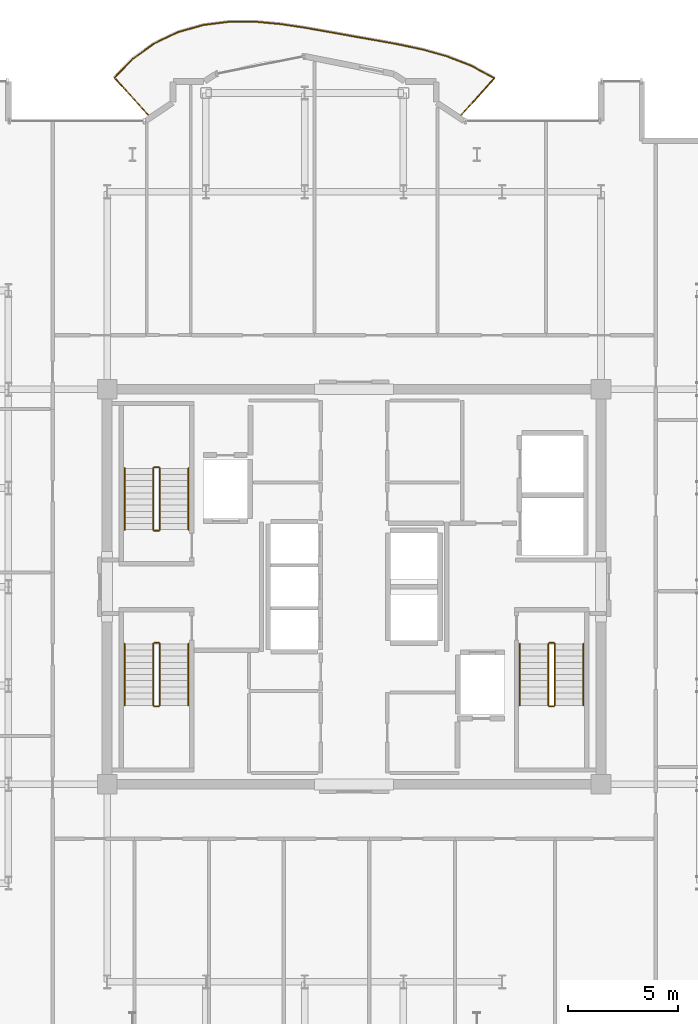
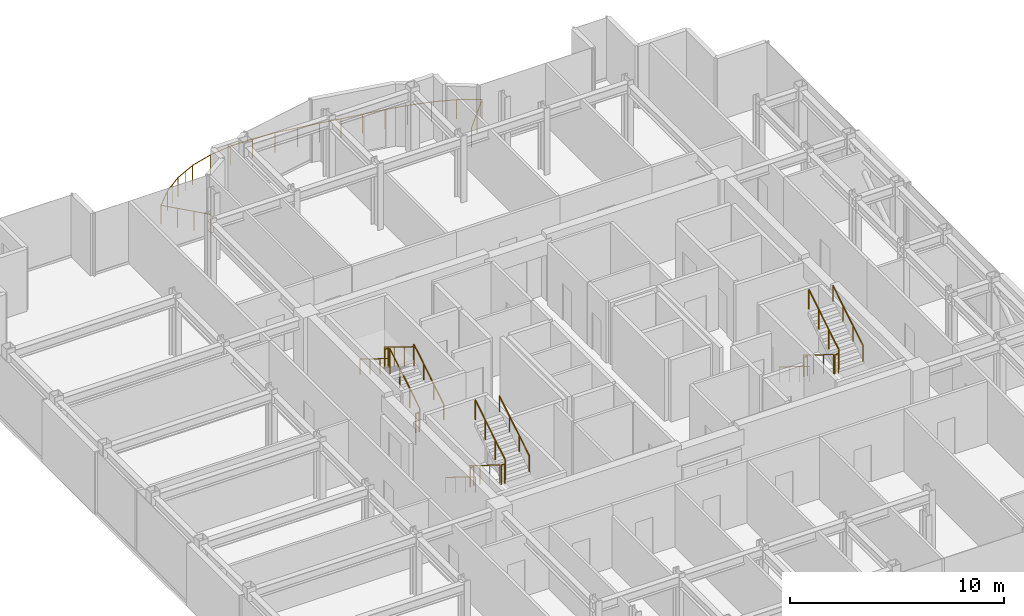
# One storey, part 16 of 16: 19 railings.
"""IFC4 building model written with IfcOpenShell, lengths in metres."""

import ifcopenshell
import ifcopenshell.guid

model = None  # the IFC model being written
_history = None  # IfcOwnerHistory: only IFC2X3 demands one
_inside = {}  # id of a spatial element -> (the spatial element, [elements in it])
_under = {}  # id of a project, library or spatial element -> (it, [spatial elements below it])
_declared = {}  # id of a project -> (the project, [libraries it declares])
_typed = {}  # id of a type object -> (the type object, [elements of that type])
_made_of = {}  # id of a material, layer set ... -> (it, [elements and type objects made of it])


def new_model(schema):
    """Start an empty IFC model of exactly this schema.

    Asked for "IFC4X3", IfcOpenShell would pick the latest addendum, in which some entities
    have other attributes; the version numbers below select the first issue.
    IFC2X3 requires an IfcOwnerHistory on every rooted entity: one is made here for all.
    """
    global model, _history
    if schema == "IFC4X3":
        model = ifcopenshell.file(schema_version=(4, 3, 0, 0))
    else:
        model = ifcopenshell.file(schema=schema)
    _inside.clear()
    _under.clear()
    _declared.clear()
    _typed.clear()
    _made_of.clear()
    _history = None
    if model.schema == "IFC2X3":
        org = make("IfcOrganization", Name="unknown")
        user = make(
            "IfcPersonAndOrganization",
            ThePerson=make("IfcPerson", FamilyName="unknown"),
            TheOrganization=org,
        )
        app = make(
            "IfcApplication",
            ApplicationDeveloper=org,
            Version="unknown",
            ApplicationFullName="unknown",
            ApplicationIdentifier="unknown",
        )
        _history = make(
            "IfcOwnerHistory",
            OwningUser=user,
            OwningApplication=app,
            ChangeAction="ADDED",
            CreationDate=0,
        )
    return model


def make(cls, **values):
    """One entity of the class cls with the attributes given. An attribute that is None is left unset."""
    return model.create_entity(
        cls, **{name: value for name, value in values.items() if value is not None}
    )


def rooted(cls, **values):
    """An entity with a GlobalId (a new one), such as an element, a storey or a relation."""
    return make(cls, GlobalId=ifcopenshell.guid.new(), OwnerHistory=_history, **values)


def si_unit(unit_type, name, prefix=None):
    """IfcSIUnit, for example si_unit("LENGTHUNIT", "METRE", prefix="MILLI")."""
    return make("IfcSIUnit", UnitType=unit_type, Prefix=prefix, Name=name)


def assignment(units):
    """IfcUnitAssignment: the units of a project."""
    return None if units is None else make("IfcUnitAssignment", Units=units)


def point(xyz):
    """IfcCartesianPoint."""
    return None if xyz is None else make("IfcCartesianPoint", Coordinates=xyz)


def direction(xyz):
    """IfcDirection."""
    return None if xyz is None else make("IfcDirection", DirectionRatios=xyz)


def frame(location, z_axis=None, x_axis=None):
    """IfcAxis2Placement3D, a coordinate frame: its origin and axes. An axis left out is left unset."""
    return make(
        "IfcAxis2Placement3D",
        Location=point(location),
        Axis=direction(z_axis),
        RefDirection=direction(x_axis),
    )


def frame_2d(location, x_axis=None):
    """IfcAxis2Placement2D, a coordinate frame in the plane: its origin and x axis."""
    return make(
        "IfcAxis2Placement2D", Location=point(location), RefDirection=direction(x_axis)
    )


def origin():
    """The frame at (0, 0, 0) with its axes left unset."""
    return frame((0.0, 0.0, 0.0))


def origin_2d():
    """The frame at (0, 0) in the plane with its x axis left unset."""
    return frame_2d((0.0, 0.0))


def place(relative_to, where):
    """IfcLocalPlacement: puts the frame where relative to a parent placement (None: the world)."""
    return make(
        "IfcLocalPlacement", PlacementRelTo=relative_to, RelativePlacement=where
    )


def context(
    kind, dimensions, precision=None, world=None, true_north=None, identifier=None
):
    """IfcGeometricRepresentationContext, for example the 3D "Model" context."""
    return make(
        "IfcGeometricRepresentationContext",
        ContextIdentifier=identifier,
        ContextType=kind,
        CoordinateSpaceDimension=dimensions,
        Precision=precision,
        WorldCoordinateSystem=world,
        TrueNorth=true_north,
    )


def subcontext(parent, identifier, kind, view, scale=None):
    """IfcGeometricRepresentationSubContext, for example "Body" below "Model"."""
    return make(
        "IfcGeometricRepresentationSubContext",
        ContextIdentifier=identifier,
        ContextType=kind,
        ParentContext=parent,
        TargetScale=scale,
        TargetView=view,
    )


def project(units=None, contexts=None):
    """IfcProject with its units and contexts."""
    return rooted(
        "IfcProject",
        Name="project",
        RepresentationContexts=contexts,
        UnitsInContext=assignment(units),
    )


def spatial(cls, under=None, at=None, **own):
    """A site, building, storey or space (cls), placed at a placement, below another one or the project."""
    s = rooted(cls, ObjectPlacement=at, **own)
    if under is not None:
        _under.setdefault(under.id(), (under, []))[1].append(s)
    return s


def profile(cls, at=None, kind="AREA", **sizes):
    """A parametric profile (cls). Its sizes go by their IFC names, for example OverallWidth=200.0."""
    return make(cls, ProfileType=kind, Position=at, **sizes)


def circle(**sizes):
    """IfcCircleProfileDef."""
    return profile("IfcCircleProfileDef", **sizes)


def extrude(swept, where, along, depth):
    """IfcExtrudedAreaSolid: the profile swept, set in the frame where, extruded along a direction by depth."""
    return make(
        "IfcExtrudedAreaSolid",
        SweptArea=swept,
        Position=where,
        ExtrudedDirection=direction(along),
        Depth=depth,
    )


def shape(context_of_items, identifier, shape_type, items):
    """IfcShapeRepresentation: the items that make up one representation, for example the "Body"."""
    return make(
        "IfcShapeRepresentation",
        ContextOfItems=context_of_items,
        RepresentationIdentifier=identifier,
        RepresentationType=shape_type,
        Items=items,
    )


def material(Name=None, Category=None):
    """IfcMaterial."""
    return make("IfcMaterial", Name=Name, Category=Category)


def made_of(thing, what):
    """Note that an element or type object is made of a material, layer set ...; save() writes the relation."""
    if what is not None:
        _made_of.setdefault(what.id(), (what, []))[1].append(thing)
    return thing


def type_object(cls, material=None, **own):
    """A type object (cls), such as IfcWallType, which elements share."""
    return made_of(rooted(cls, **own), material)


def element(
    cls,
    number,
    at=None,
    inside=None,
    cuts=None,
    type_object=None,
    material=None,
    context=None,
    identifier="Body",
    shape_type=None,
    held_by="IfcProductDefinitionShape",
    body=None,
    shapes=None,
    **own,
):
    """One element of the class cls, such as IfcWall. Its Tag is "e" and its number.

    at: its placement. inside: the storey or other place that contains it. cuts: it is an
    opening in that element (IfcRelVoidsElement). A single representation is given by context,
    identifier, shape_type and body (its items); several are given by shapes. held_by: the class
    of the entity that holds the representations. save() writes the other relations.
    """
    e = rooted(cls, Tag="e%d" % number, ObjectPlacement=at, **own)
    if body is not None:
        shapes = [shape(context, identifier, shape_type, body)]
    if shapes is not None:
        e.Representation = make(held_by, Representations=shapes)
    if inside is not None:
        _inside.setdefault(inside.id(), (inside, []))[1].append(e)
    if cuts is not None:
        rooted(
            "IfcRelVoidsElement", RelatingBuildingElement=cuts, RelatedOpeningElement=e
        )
    if type_object is not None:
        _typed.setdefault(type_object.id(), (type_object, []))[1].append(e)
    return made_of(e, material)


def aggregate(whole, parts):
    """IfcRelAggregates: a whole, such as a stair, and the parts it consists of."""
    return rooted("IfcRelAggregates", RelatingObject=whole, RelatedObjects=parts)


def save(model, path):
    """Write the relations noted so far, then the file.

    IfcRelAggregates (storeys below a building ...), IfcRelContainedInSpatialStructure (elements
    in a storey), IfcRelDefinesByType, IfcRelAssociatesMaterial and IfcRelDeclares: one each for
    every whole, place, type object, material and project.
    """
    for whole, parts in _under.values():
        aggregate(whole, parts)
    for where, things in _inside.values():
        rooted(
            "IfcRelContainedInSpatialStructure",
            RelatedElements=things,
            RelatingStructure=where,
        )
    for kind, things in _typed.values():
        rooted("IfcRelDefinesByType", RelatedObjects=things, RelatingType=kind)
    for what, things in _made_of.values():
        rooted("IfcRelAssociatesMaterial", RelatedObjects=things, RelatingMaterial=what)
    for by, libraries in _declared.values():
        rooted("IfcRelDeclares", RelatingContext=by, RelatedDefinitions=libraries)
    model.write(path)


model = new_model("IFC4")

# Units and contexts
model_context = context("Model", 3, precision=1e-05, world=origin(), true_north=direction((0.0, 1.0)))
body_context = subcontext(model_context, "Body", "Model", "MODEL_VIEW")
ifc_project = project(units=[si_unit("LENGTHUNIT", "METRE"), si_unit("AREAUNIT", "SQUARE_METRE"), si_unit("VOLUMEUNIT", "CUBIC_METRE"), si_unit("PLANEANGLEUNIT", "RADIAN"), si_unit("MASSUNIT", "GRAM", prefix="KILO")], contexts=[model_context])

# Site, building, storey
site_placement = place(None, origin())
site = spatial("IfcSite", under=ifc_project, at=site_placement, CompositionType="ELEMENT")
building_placement = place(site_placement, origin())
building = spatial("IfcBuilding", under=site, at=building_placement, Name="Nefas-Gora Pilgrimage Tower", CompositionType="ELEMENT")
storey_placement = place(building_placement, frame((0.0, 0.0, 310.199951171875)))
storey = spatial("IfcBuildingStorey", under=building, at=storey_placement, Name="L78", CompositionType="ELEMENT", Elevation=310.199951171875)

# Railings
ifc_material_1 = material(Name="Laminated safety glass and stainless steel", Category="steel")
railing_type_1 = type_object("IfcRailingType", Name="RLG-BAL-1100", PredefinedType="BALUSTRADE", material=ifc_material_1)
railing_1_placement = place(storey_placement, frame((4.802490234375, 21.402587890625, 0.0)))
element("IfcRailing", 1, at=railing_1_placement, inside=storey, type_object=railing_type_1, Name="L78 Wave Balcony Balustrade N1", PredefinedType="BALUSTRADE", context=body_context, shape_type="SweptSolid", body=[
    extrude(circle(Radius=0.02392578125, at=origin_2d()), frame((0.0, 0.0, 1.09619140625), z_axis=(0.669135077133, 0.74314079995, 0.0), x_axis=(-0.74314079995, 0.669135077133, 0.0)), (0.0, 0.0, 1.0), 2.375244140625),
    extrude(circle(Radius=0.02392578125, at=origin_2d()), frame((1.58935546875, 1.76513671875, 1.09619140625), z_axis=(-0.878083063922, 0.478508236976, 0.0), x_axis=(-0.478508236976, -0.878083063922, 0.0)), (0.0, 0.0, 1.0), 1.19384765625),
    extrude(circle(Radius=0.02392578125, at=origin_2d()), frame((0.541015625, 2.33642578125, 1.09619140625), z_axis=(-0.932264516766, 0.361777377374, 0.0), x_axis=(-0.361777377374, -0.932264516766, 0.0)), (0.0, 0.0, 1.0), 1.18017578125),
    extrude(circle(Radius=0.02392578125, at=origin_2d()), frame((-0.559326171875, 2.763427734375, 1.09619140625), z_axis=(-0.962944291486, 0.269700373552, 0.0), x_axis=(-0.269700373552, -0.962944291486, 0.0)), (0.0, 0.0, 1.0), 1.156982421875),
    extrude(circle(Radius=0.02392578125, at=origin_2d()), frame((-1.67333984375, 3.075439453125, 1.09619140625), z_axis=(-0.978071187114, 0.208270864351, 0.0), x_axis=(-0.208270864351, -0.978071187114, 0.0)), (0.0, 0.0, 1.0), 1.12646484375),
    extrude(circle(Radius=0.02392578125, at=origin_2d()), frame((-2.775146484375, 3.31005859375, 1.09619140625), z_axis=(-0.983987188897, 0.178239199074, 0.0), x_axis=(-0.178239199074, -0.983987188897, 0.0)), (0.0, 0.0, 1.0), 1.09716796875),
    extrude(circle(Radius=0.02392578125, at=origin_2d()), frame((-3.854736328125, 3.505615234375, 1.09619140625), z_axis=(-0.985033351449, 0.172363849265, 0.0), x_axis=(-0.172363849265, -0.985033351449, 0.0)), (0.0, 0.0, 1.0), 1.077880859375),
    extrude(circle(Radius=0.02392578125, at=origin_2d()), frame((-4.91650390625, 3.69140625, 1.09619140625), z_axis=(-0.984191230585, 0.177109067071, 0.0), x_axis=(-0.177109067071, -0.984191230585, 0.0)), (0.0, 0.0, 1.0), 1.07666015625),
    extrude(circle(Radius=0.02392578125, at=origin_2d()), frame((-5.97607421875, 3.882080078125, 1.09619140625), z_axis=(-0.984747561973, 0.173989192737, 0.0), x_axis=(-0.173989192737, -0.984747561973, 0.0)), (0.0, 0.0, 1.0), 1.093017578125),
    extrude(circle(Radius=0.02392578125, at=origin_2d()), frame((-7.052490234375, 4.072265625, 1.09619140625), z_axis=(-0.98891878254, 0.148457541204, 0.0), x_axis=(-0.148457541204, -0.98891878254, 0.0)), (0.0, 0.0, 1.0), 1.12158203125),
    extrude(circle(Radius=0.02392578125, at=origin_2d()), frame((-8.16162109375, 4.23876953125, 1.09619140625), z_axis=(-0.995840939659, 0.091108851926, 0.0), x_axis=(-0.091108851926, -0.995840939659, 0.0)), (0.0, 0.0, 1.0), 1.15234375),
    extrude(circle(Radius=0.02392578125, at=origin_2d()), frame((-9.30908203125, 4.34375, 1.09619140625), z_axis=(-0.999999806466, -0.000622148366, 0.0), x_axis=(0.000622148366, -0.999999806466, 0.0)), (0.0, 0.0, 1.0), 1.17724609375),
    extrude(circle(Radius=0.02392578125, at=origin_2d()), frame((-10.486328125, 4.343017578125, 1.09619140625), z_axis=(-0.992246343829, -0.124286737661, 0.0), x_axis=(0.124286737661, -0.992246343829, 0.0)), (0.0, 0.0, 1.0), 1.1923828125),
    extrude(circle(Radius=0.02392578125, at=origin_2d()), frame((-11.66943359375, 4.19482421875, 1.09619140625), z_axis=(-0.962380056338, -0.271706877282, 0.0), x_axis=(0.271706877282, -0.962380056338, 0.0)), (0.0, 0.0, 1.0), 1.19873046875),
    extrude(circle(Radius=0.02392578125, at=origin_2d()), frame((-12.822998046875, 3.869140625, 1.09619140625), z_axis=(-0.902687538692, -0.430296650568, 0.0), x_axis=(0.430296650568, -0.902687538692, 0.0)), (0.0, 0.0, 1.0), 1.20068359375),
    extrude(circle(Radius=0.02392578125, at=origin_2d()), frame((-13.90673828125, 3.3525390625, 1.09619140625), z_axis=(-0.812274321028, -0.58327560158, 0.0), x_axis=(0.58327560158, -0.812274321028, 0.0)), (0.0, 0.0, 1.0), 1.200439453125),
    extrude(circle(Radius=0.02392578125, at=origin_2d()), frame((-14.8818359375, 2.65234375, 1.09619140625), z_axis=(-0.699126878219, -0.714997628074, 0.0), x_axis=(0.714997628074, -0.699126878219, 0.0)), (0.0, 0.0, 1.0), 1.199951171875),
    extrude(circle(Radius=0.02392578125, at=origin_2d()), frame((-15.720703125, 1.79443359375, 1.09619140625), z_axis=(0.669132296829, -0.743143303368, 0.0), x_axis=(0.743143303368, 0.669132296829, 0.0)), (0.0, 0.0, 1.0), 2.41455078125),
    extrude(circle(Radius=0.02099609375, at=origin_2d()), origin(), (0.0, 0.0, 1.0), 1.072021484375),
    extrude(circle(Radius=0.02099609375, at=origin_2d()), frame((0.794677734375, 0.882568359375, 0.0)), (0.0, 0.0, 1.0), 1.072021484375),
    extrude(circle(Radius=0.02099609375, at=origin_2d()), frame((1.58935546875, 1.76513671875, 0.0)), (0.0, 0.0, 1.0), 1.072021484375),
    extrude(circle(Radius=0.02099609375, at=origin_2d()), frame((0.541015625, 2.33642578125, 0.0)), (0.0, 0.0, 1.0), 1.072021484375),
    extrude(circle(Radius=0.02099609375, at=origin_2d()), frame((-0.559326171875, 2.763427734375, 0.0)), (0.0, 0.0, 1.0), 1.072021484375),
    extrude(circle(Radius=0.02099609375, at=origin_2d()), frame((-1.67333984375, 3.075439453125, 0.0)), (0.0, 0.0, 1.0), 1.072021484375),
    extrude(circle(Radius=0.02099609375, at=origin_2d()), frame((-2.775146484375, 3.31005859375, 0.0)), (0.0, 0.0, 1.0), 1.072021484375),
    extrude(circle(Radius=0.02099609375, at=origin_2d()), frame((-3.854736328125, 3.505615234375, 0.0)), (0.0, 0.0, 1.0), 1.072021484375),
    extrude(circle(Radius=0.02099609375, at=origin_2d()), frame((-4.91650390625, 3.69140625, 0.0)), (0.0, 0.0, 1.0), 1.072021484375),
    extrude(circle(Radius=0.02099609375, at=origin_2d()), frame((-5.97607421875, 3.882080078125, 0.0)), (0.0, 0.0, 1.0), 1.072021484375),
    extrude(circle(Radius=0.02099609375, at=origin_2d()), frame((-7.052490234375, 4.072265625, 0.0)), (0.0, 0.0, 1.0), 1.072021484375),
    extrude(circle(Radius=0.02099609375, at=origin_2d()), frame((-8.16162109375, 4.23876953125, 0.0)), (0.0, 0.0, 1.0), 1.072021484375),
    extrude(circle(Radius=0.02099609375, at=origin_2d()), frame((-9.30908203125, 4.34375, 0.0)), (0.0, 0.0, 1.0), 1.072021484375),
    extrude(circle(Radius=0.02099609375, at=origin_2d()), frame((-10.486328125, 4.343017578125, 0.0)), (0.0, 0.0, 1.0), 1.072021484375),
    extrude(circle(Radius=0.02099609375, at=origin_2d()), frame((-11.66943359375, 4.19482421875, 0.0)), (0.0, 0.0, 1.0), 1.072021484375),
    extrude(circle(Radius=0.02099609375, at=origin_2d()), frame((-12.822998046875, 3.869140625, 0.0)), (0.0, 0.0, 1.0), 1.072021484375),
    extrude(circle(Radius=0.02099609375, at=origin_2d()), frame((-13.36474609375, 3.61083984375, 0.0)), (0.0, 0.0, 1.0), 1.072021484375),
    extrude(circle(Radius=0.02099609375, at=origin_2d()), frame((-13.90673828125, 3.3525390625, 0.0)), (0.0, 0.0, 1.0), 1.072021484375),
    extrude(circle(Radius=0.02099609375, at=origin_2d()), frame((-14.394287109375, 3.00244140625, 0.0)), (0.0, 0.0, 1.0), 1.072021484375),
    extrude(circle(Radius=0.02099609375, at=origin_2d()), frame((-14.8818359375, 2.65234375, 0.0)), (0.0, 0.0, 1.0), 1.072021484375),
    extrude(circle(Radius=0.02099609375, at=origin_2d()), frame((-15.720703125, 1.79443359375, 0.0)), (0.0, 0.0, 1.0), 1.072021484375),
    extrude(circle(Radius=0.02099609375, at=origin_2d()), frame((-15.18212890625, 1.1962890625, 0.0)), (0.0, 0.0, 1.0), 1.072021484375),
    extrude(circle(Radius=0.02099609375, at=origin_2d()), frame((-14.6435546875, 0.59814453125, 0.0)), (0.0, 0.0, 1.0), 1.072021484375),
    extrude(circle(Radius=0.02099609375, at=origin_2d()), frame((-14.10498046875, 0.0, 0.0)), (0.0, 0.0, 1.0), 1.072021484375),
])
ifc_material_2 = material(Name="Painted galvanised steel", Category="steel")
railing_type_2 = type_object("IfcRailingType", Name="RLG-STR-GUARD-1100", PredefinedType="GUARDRAIL", material=ifc_material_2)
railing_2_placement = place(storey_placement, frame((-8.85009765625, 2.60009765625, 0.1728515625)))
element("IfcRailing", 2, at=railing_2_placement, inside=storey, type_object=railing_type_2, Name="L78 ST-01 stair guard 1", PredefinedType="GUARDRAIL", context=body_context, shape_type="SweptSolid", body=[
    extrude(circle(Radius=0.02392578125, at=origin_2d()), frame((0.0, 0.0, 1.09619140625), z_axis=(0.0, 0.851069175582, 0.525053576669), x_axis=(-1.0, 0.0, 0.0)), (0.0, 0.0, 1.0), 3.289794921875),
    extrude(circle(Radius=0.02099609375, at=origin_2d()), origin(), (0.0, 0.0, 1.0), 1.072021484375),
    extrude(circle(Radius=0.02099609375, at=origin_2d()), frame((0.0, 0.933349609375, 0.57568359375)), (0.0, 0.0, 1.0), 1.072021484375),
    extrude(circle(Radius=0.02099609375, at=origin_2d()), frame((0.0, 1.866455078125, 1.151611328125)), (0.0, 0.0, 1.0), 1.072021484375),
    extrude(circle(Radius=0.02099609375, at=origin_2d()), frame((0.0, 2.7998046875, 1.727294921875)), (0.0, 0.0, 1.0), 1.072021484375),
])
railing_3_placement = place(storey_placement, frame((-8.89990234375, 5.449951171875, 1.900146484375)))
element("IfcRailing", 3, at=railing_3_placement, inside=storey, type_object=railing_type_2, Name="L78 ST-01 stair guard 2", PredefinedType="GUARDRAIL", context=body_context, shape_type="SweptSolid", body=[
    extrude(circle(Radius=0.02392578125, at=origin_2d()), frame((0.0, 0.0, 1.09619140625), z_axis=(-1.0, 0.0, 0.0), x_axis=(0.0, -1.0, 0.0)), (0.0, 0.0, 1.0), 0.2001953125),
    extrude(circle(Radius=0.02099609375, at=origin_2d()), origin(), (0.0, 0.0, 1.0), 1.072021484375),
    extrude(circle(Radius=0.02099609375, at=origin_2d()), frame((-0.2001953125, 0.0, 0.0)), (0.0, 0.0, 1.0), 1.072021484375),
])
railing_4_placement = place(storey_placement, frame((-9.14990234375, 5.39990234375, 2.07275390625)))
element("IfcRailing", 4, at=railing_4_placement, inside=storey, type_object=railing_type_2, Name="L78 ST-01 stair guard 3", PredefinedType="GUARDRAIL", context=body_context, shape_type="SweptSolid", body=[
    extrude(circle(Radius=0.02392578125, at=origin_2d()), frame((0.0, 0.0, 1.09619140625), z_axis=(0.0, -0.851069175582, 0.525053576669), x_axis=(1.0, 0.0, 0.0)), (0.0, 0.0, 1.0), 3.289794921875),
    extrude(circle(Radius=0.02099609375, at=origin_2d()), origin(), (0.0, 0.0, 1.0), 1.072021484375),
    extrude(circle(Radius=0.02099609375, at=origin_2d()), frame((0.0, -0.933349609375, 0.57568359375)), (0.0, 0.0, 1.0), 1.072021484375),
    extrude(circle(Radius=0.02099609375, at=origin_2d()), frame((0.0, -1.866455078125, 1.151611328125)), (0.0, 0.0, 1.0), 1.072021484375),
    extrude(circle(Radius=0.02099609375, at=origin_2d()), frame((0.0, -2.7998046875, 1.727294921875)), (0.0, 0.0, 1.0), 1.072021484375),
])
railing_5_placement = place(storey_placement, frame((-8.89990234375, 2.550048828125, 0.0)))
element("IfcRailing", 5, at=railing_5_placement, inside=storey, type_object=railing_type_2, Name="L78 ST-01 stair guard 4", PredefinedType="GUARDRAIL", context=body_context, shape_type="SweptSolid", body=[
    extrude(circle(Radius=0.02392578125, at=origin_2d()), frame((0.0, 0.0, 1.09619140625), z_axis=(-1.0, 0.0, 0.0), x_axis=(0.0, -1.0, 0.0)), (0.0, 0.0, 1.0), 0.2001953125),
    extrude(circle(Radius=0.02099609375, at=origin_2d()), origin(), (0.0, 0.0, 1.0), 1.072021484375),
    extrude(circle(Radius=0.02099609375, at=origin_2d()), frame((-0.2001953125, 0.0, 0.0)), (0.0, 0.0, 1.0), 1.072021484375),
])
railing_6_placement = place(storey_placement, frame((8.85009765625, -2.60009765625, 0.1728515625)))
element("IfcRailing", 6, at=railing_6_placement, inside=storey, type_object=railing_type_2, Name="L78 ST-02 stair guard 1", PredefinedType="GUARDRAIL", context=body_context, shape_type="SweptSolid", body=[
    extrude(circle(Radius=0.02392578125, at=origin_2d()), frame((0.0, 0.0, 1.09619140625), z_axis=(0.0, -0.851069175582, 0.525053576669), x_axis=(1.0, 0.0, 0.0)), (0.0, 0.0, 1.0), 3.289794921875),
    extrude(circle(Radius=0.02099609375, at=origin_2d()), origin(), (0.0, 0.0, 1.0), 1.072021484375),
    extrude(circle(Radius=0.02099609375, at=origin_2d()), frame((0.0, -0.933349609375, 0.57568359375)), (0.0, 0.0, 1.0), 1.072021484375),
    extrude(circle(Radius=0.02099609375, at=origin_2d()), frame((0.0, -1.866455078125, 1.151611328125)), (0.0, 0.0, 1.0), 1.072021484375),
    extrude(circle(Radius=0.02099609375, at=origin_2d()), frame((0.0, -2.7998046875, 1.727294921875)), (0.0, 0.0, 1.0), 1.072021484375),
])
railing_7_placement = place(storey_placement, frame((8.89990234375, -5.449951171875, 1.900146484375)))
element("IfcRailing", 7, at=railing_7_placement, inside=storey, type_object=railing_type_2, Name="L78 ST-02 stair guard 2", PredefinedType="GUARDRAIL", context=body_context, shape_type="SweptSolid", body=[
    extrude(circle(Radius=0.02392578125, at=origin_2d()), frame((0.0, 0.0, 1.09619140625), z_axis=(1.0, 0.0, 0.0), x_axis=(0.0, 1.0, 0.0)), (0.0, 0.0, 1.0), 0.2001953125),
    extrude(circle(Radius=0.02099609375, at=origin_2d()), origin(), (0.0, 0.0, 1.0), 1.072021484375),
    extrude(circle(Radius=0.02099609375, at=origin_2d()), frame((0.2001953125, 0.0, 0.0)), (0.0, 0.0, 1.0), 1.072021484375),
])
railing_8_placement = place(storey_placement, frame((9.14990234375, -5.39990234375, 2.07275390625)))
element("IfcRailing", 8, at=railing_8_placement, inside=storey, type_object=railing_type_2, Name="L78 ST-02 stair guard 3", PredefinedType="GUARDRAIL", context=body_context, shape_type="SweptSolid", body=[
    extrude(circle(Radius=0.02392578125, at=origin_2d()), frame((0.0, 0.0, 1.09619140625), z_axis=(0.0, 0.851069175582, 0.525053576669), x_axis=(-1.0, 0.0, 0.0)), (0.0, 0.0, 1.0), 3.289794921875),
    extrude(circle(Radius=0.02099609375, at=origin_2d()), origin(), (0.0, 0.0, 1.0), 1.072021484375),
    extrude(circle(Radius=0.02099609375, at=origin_2d()), frame((0.0, 0.933349609375, 0.57568359375)), (0.0, 0.0, 1.0), 1.072021484375),
    extrude(circle(Radius=0.02099609375, at=origin_2d()), frame((0.0, 1.866455078125, 1.151611328125)), (0.0, 0.0, 1.0), 1.072021484375),
    extrude(circle(Radius=0.02099609375, at=origin_2d()), frame((0.0, 2.7998046875, 1.727294921875)), (0.0, 0.0, 1.0), 1.072021484375),
])
railing_9_placement = place(storey_placement, frame((8.89990234375, -2.550048828125, 0.0)))
element("IfcRailing", 9, at=railing_9_placement, inside=storey, type_object=railing_type_2, Name="L78 ST-02 stair guard 4", PredefinedType="GUARDRAIL", context=body_context, shape_type="SweptSolid", body=[
    extrude(circle(Radius=0.02392578125, at=origin_2d()), frame((0.0, 0.0, 1.09619140625), z_axis=(1.0, 0.0, 0.0), x_axis=(0.0, 1.0, 0.0)), (0.0, 0.0, 1.0), 0.2001953125),
    extrude(circle(Radius=0.02099609375, at=origin_2d()), origin(), (0.0, 0.0, 1.0), 1.072021484375),
    extrude(circle(Radius=0.02099609375, at=origin_2d()), frame((0.2001953125, 0.0, 0.0)), (0.0, 0.0, 1.0), 1.072021484375),
])
railing_10_placement = place(storey_placement, frame((-9.14990234375, -2.60009765625, 0.1728515625)))
element("IfcRailing", 10, at=railing_10_placement, inside=storey, type_object=railing_type_2, Name="L78 ST-03 stair guard 1", PredefinedType="GUARDRAIL", context=body_context, shape_type="SweptSolid", body=[
    extrude(circle(Radius=0.02392578125, at=origin_2d()), frame((0.0, 0.0, 1.09619140625), z_axis=(0.0, -0.851069175582, 0.525053576669), x_axis=(1.0, 0.0, 0.0)), (0.0, 0.0, 1.0), 3.289794921875),
    extrude(circle(Radius=0.02099609375, at=origin_2d()), origin(), (0.0, 0.0, 1.0), 1.072021484375),
    extrude(circle(Radius=0.02099609375, at=origin_2d()), frame((0.0, -0.933349609375, 0.57568359375)), (0.0, 0.0, 1.0), 1.072021484375),
    extrude(circle(Radius=0.02099609375, at=origin_2d()), frame((0.0, -1.866455078125, 1.151611328125)), (0.0, 0.0, 1.0), 1.072021484375),
    extrude(circle(Radius=0.02099609375, at=origin_2d()), frame((0.0, -2.7998046875, 1.727294921875)), (0.0, 0.0, 1.0), 1.072021484375),
])
railing_11_placement = place(storey_placement, frame((-9.10009765625, -5.449951171875, 1.900146484375)))
element("IfcRailing", 11, at=railing_11_placement, inside=storey, type_object=railing_type_2, Name="L78 ST-03 stair guard 2", PredefinedType="GUARDRAIL", context=body_context, shape_type="SweptSolid", body=[
    extrude(circle(Radius=0.02392578125, at=origin_2d()), frame((0.0, 0.0, 1.09619140625), z_axis=(1.0, 0.0, 0.0), x_axis=(0.0, 1.0, 0.0)), (0.0, 0.0, 1.0), 0.2001953125),
    extrude(circle(Radius=0.02099609375, at=origin_2d()), origin(), (0.0, 0.0, 1.0), 1.072021484375),
    extrude(circle(Radius=0.02099609375, at=origin_2d()), frame((0.2001953125, 0.0, 0.0)), (0.0, 0.0, 1.0), 1.072021484375),
])
railing_12_placement = place(storey_placement, frame((-8.85009765625, -5.39990234375, 2.07275390625)))
element("IfcRailing", 12, at=railing_12_placement, inside=storey, type_object=railing_type_2, Name="L78 ST-03 stair guard 3", PredefinedType="GUARDRAIL", context=body_context, shape_type="SweptSolid", body=[
    extrude(circle(Radius=0.02392578125, at=origin_2d()), frame((0.0, 0.0, 1.09619140625), z_axis=(0.0, 0.851069175582, 0.525053576669), x_axis=(-1.0, 0.0, 0.0)), (0.0, 0.0, 1.0), 3.289794921875),
    extrude(circle(Radius=0.02099609375, at=origin_2d()), origin(), (0.0, 0.0, 1.0), 1.072021484375),
    extrude(circle(Radius=0.02099609375, at=origin_2d()), frame((0.0, 0.933349609375, 0.57568359375)), (0.0, 0.0, 1.0), 1.072021484375),
    extrude(circle(Radius=0.02099609375, at=origin_2d()), frame((0.0, 1.866455078125, 1.151611328125)), (0.0, 0.0, 1.0), 1.072021484375),
    extrude(circle(Radius=0.02099609375, at=origin_2d()), frame((0.0, 2.7998046875, 1.727294921875)), (0.0, 0.0, 1.0), 1.072021484375),
])
railing_13_placement = place(storey_placement, frame((-9.10009765625, -2.550048828125, 0.0)))
element("IfcRailing", 13, at=railing_13_placement, inside=storey, type_object=railing_type_2, Name="L78 ST-03 stair guard 4", PredefinedType="GUARDRAIL", context=body_context, shape_type="SweptSolid", body=[
    extrude(circle(Radius=0.02392578125, at=origin_2d()), frame((0.0, 0.0, 1.09619140625), z_axis=(1.0, 0.0, 0.0), x_axis=(0.0, 1.0, 0.0)), (0.0, 0.0, 1.0), 0.2001953125),
    extrude(circle(Radius=0.02099609375, at=origin_2d()), origin(), (0.0, 0.0, 1.0), 1.072021484375),
    extrude(circle(Radius=0.02099609375, at=origin_2d()), frame((0.2001953125, 0.0, 0.0)), (0.0, 0.0, 1.0), 1.072021484375),
])
ifc_material_3 = material(Name="Brushed stainless steel", Category="steel")
railing_type_3 = type_object("IfcRailingType", Name="RLG-STR-HAND-900", PredefinedType="HANDRAIL", material=ifc_material_3)
railing_14_placement = place(storey_placement, frame((-7.550048828125, 2.60009765625, 0.1728515625)))
element("IfcRailing", 14, at=railing_14_placement, inside=storey, type_object=railing_type_3, Name="L78 ST-01 stair handrail 1", PredefinedType="HANDRAIL", context=body_context, shape_type="SweptSolid", body=[
    extrude(circle(Radius=0.02392578125, at=origin_2d()), frame((0.0, 0.0, 0.8759765625), z_axis=(0.0, 0.851069175582, 0.525053576669), x_axis=(-1.0, 0.0, 0.0)), (0.0, 0.0, 1.0), 3.289794921875),
    extrude(circle(Radius=0.02099609375, at=origin_2d()), origin(), (0.0, 0.0, 1.0), 0.851806640625),
    extrude(circle(Radius=0.02099609375, at=origin_2d()), frame((0.0, 0.933349609375, 0.57568359375)), (0.0, 0.0, 1.0), 0.851806640625),
    extrude(circle(Radius=0.02099609375, at=origin_2d()), frame((0.0, 1.866455078125, 1.151611328125)), (0.0, 0.0, 1.0), 0.851806640625),
    extrude(circle(Radius=0.02099609375, at=origin_2d()), frame((0.0, 2.7998046875, 1.727294921875)), (0.0, 0.0, 1.0), 0.851806640625),
])
for number, where, name in (
    (15, (-10.449951171875, 5.39990234375, 2.07275390625), "L78 ST-01 stair handrail 2"),
    (16, (7.550048828125, -2.60009765625, 0.1728515625), "L78 ST-02 stair handrail 1"),
):
    element("IfcRailing", number, at=place(storey_placement, frame(where)), inside=storey, type_object=railing_type_3, Name=name, PredefinedType="HANDRAIL", context=body_context, shape_type="SweptSolid", body=[
        extrude(circle(Radius=0.02392578125, at=origin_2d()), frame((0.0, 0.0, 0.8759765625), z_axis=(0.0, -0.851069175582, 0.525053576669), x_axis=(1.0, 0.0, 0.0)), (0.0, 0.0, 1.0), 3.289794921875),
        extrude(circle(Radius=0.02099609375, at=origin_2d()), origin(), (0.0, 0.0, 1.0), 0.851806640625),
        extrude(circle(Radius=0.02099609375, at=origin_2d()), frame((0.0, -0.933349609375, 0.57568359375)), (0.0, 0.0, 1.0), 0.851806640625),
        extrude(circle(Radius=0.02099609375, at=origin_2d()), frame((0.0, -1.866455078125, 1.151611328125)), (0.0, 0.0, 1.0), 0.851806640625),
        extrude(circle(Radius=0.02099609375, at=origin_2d()), frame((0.0, -2.7998046875, 1.727294921875)), (0.0, 0.0, 1.0), 0.851806640625),
    ])
railing_15_placement = place(storey_placement, frame((10.449951171875, -5.39990234375, 2.07275390625)))
element("IfcRailing", 17, at=railing_15_placement, inside=storey, type_object=railing_type_3, Name="L78 ST-02 stair handrail 2", PredefinedType="HANDRAIL", context=body_context, shape_type="SweptSolid", body=[
    extrude(circle(Radius=0.02392578125, at=origin_2d()), frame((0.0, 0.0, 0.8759765625), z_axis=(0.0, 0.851069175582, 0.525053576669), x_axis=(-1.0, 0.0, 0.0)), (0.0, 0.0, 1.0), 3.289794921875),
    extrude(circle(Radius=0.02099609375, at=origin_2d()), origin(), (0.0, 0.0, 1.0), 0.851806640625),
    extrude(circle(Radius=0.02099609375, at=origin_2d()), frame((0.0, 0.933349609375, 0.57568359375)), (0.0, 0.0, 1.0), 0.851806640625),
    extrude(circle(Radius=0.02099609375, at=origin_2d()), frame((0.0, 1.866455078125, 1.151611328125)), (0.0, 0.0, 1.0), 0.851806640625),
    extrude(circle(Radius=0.02099609375, at=origin_2d()), frame((0.0, 2.7998046875, 1.727294921875)), (0.0, 0.0, 1.0), 0.851806640625),
])
railing_16_placement = place(storey_placement, frame((-10.449951171875, -2.60009765625, 0.1728515625)))
element("IfcRailing", 18, at=railing_16_placement, inside=storey, type_object=railing_type_3, Name="L78 ST-03 stair handrail 1", PredefinedType="HANDRAIL", context=body_context, shape_type="SweptSolid", body=[
    extrude(circle(Radius=0.02392578125, at=origin_2d()), frame((0.0, 0.0, 0.8759765625), z_axis=(0.0, -0.851069175582, 0.525053576669), x_axis=(1.0, 0.0, 0.0)), (0.0, 0.0, 1.0), 3.289794921875),
    extrude(circle(Radius=0.02099609375, at=origin_2d()), origin(), (0.0, 0.0, 1.0), 0.851806640625),
    extrude(circle(Radius=0.02099609375, at=origin_2d()), frame((0.0, -0.933349609375, 0.57568359375)), (0.0, 0.0, 1.0), 0.851806640625),
    extrude(circle(Radius=0.02099609375, at=origin_2d()), frame((0.0, -1.866455078125, 1.151611328125)), (0.0, 0.0, 1.0), 0.851806640625),
    extrude(circle(Radius=0.02099609375, at=origin_2d()), frame((0.0, -2.7998046875, 1.727294921875)), (0.0, 0.0, 1.0), 0.851806640625),
])
railing_17_placement = place(storey_placement, frame((-7.550048828125, -5.39990234375, 2.07275390625)))
element("IfcRailing", 19, at=railing_17_placement, inside=storey, type_object=railing_type_3, Name="L78 ST-03 stair handrail 2", PredefinedType="HANDRAIL", context=body_context, shape_type="SweptSolid", body=[
    extrude(circle(Radius=0.02392578125, at=origin_2d()), frame((0.0, 0.0, 0.8759765625), z_axis=(0.0, 0.851069175582, 0.525053576669), x_axis=(-1.0, 0.0, 0.0)), (0.0, 0.0, 1.0), 3.289794921875),
    extrude(circle(Radius=0.02099609375, at=origin_2d()), origin(), (0.0, 0.0, 1.0), 0.851806640625),
    extrude(circle(Radius=0.02099609375, at=origin_2d()), frame((0.0, 0.933349609375, 0.57568359375)), (0.0, 0.0, 1.0), 0.851806640625),
    extrude(circle(Radius=0.02099609375, at=origin_2d()), frame((0.0, 1.866455078125, 1.151611328125)), (0.0, 0.0, 1.0), 0.851806640625),
    extrude(circle(Radius=0.02099609375, at=origin_2d()), frame((0.0, 2.7998046875, 1.727294921875)), (0.0, 0.0, 1.0), 0.851806640625),
])

save(model, "model.ifc")
